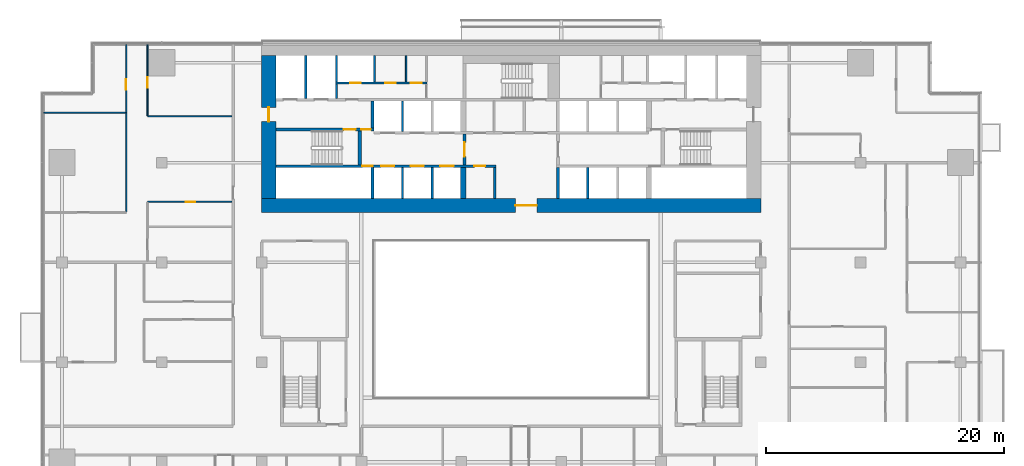
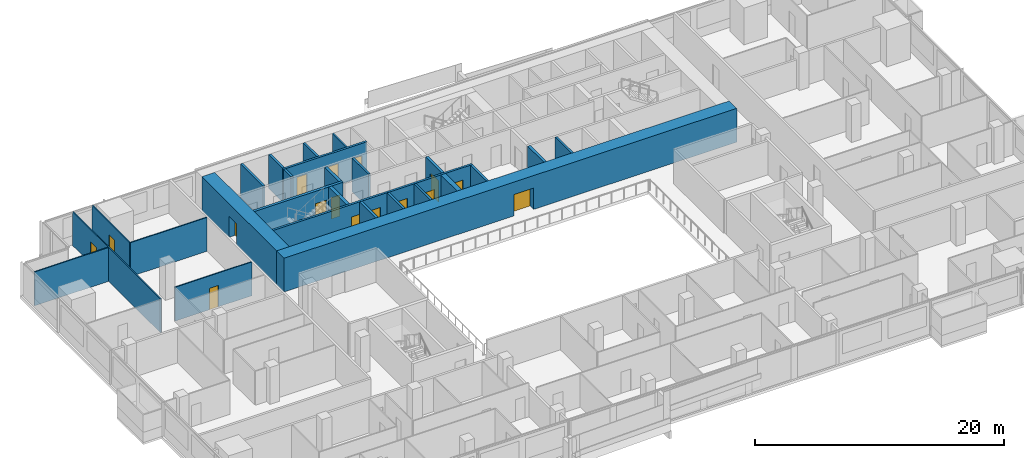
# One storey, part 20 of 26: 26 walls, 16 doors, 16 openings.
"""IFC4 building model written with IfcOpenShell, lengths in metres."""

from ifc_helpers import new_model, si_unit, direction, frame, frame_2d, origin, place, context, subcontext, project, spatial, rectangle, extrude, material, layer, layer_set, type_object, element, fill, save


model = new_model("IFC4")

# Units and contexts
model_context = context("Model", 3, precision=1e-05, world=origin(), true_north=direction((0.0, 1.0)))
body_context = subcontext(model_context, "Body", "Model", "MODEL_VIEW")
ifc_project = project(units=[si_unit("LENGTHUNIT", "METRE"), si_unit("AREAUNIT", "SQUARE_METRE"), si_unit("VOLUMEUNIT", "CUBIC_METRE"), si_unit("PLANEANGLEUNIT", "RADIAN"), si_unit("MASSUNIT", "GRAM", prefix="KILO")], contexts=[model_context])

# Site, building, storey
site_placement = place(None, origin())
site = spatial("IfcSite", under=ifc_project, at=site_placement, CompositionType="ELEMENT")
building_placement = place(site_placement, origin())
building = spatial("IfcBuilding", under=site, at=building_placement, Name="Saffron Gate Tower", CompositionType="ELEMENT")
storey_placement = place(building_placement, frame((0.0, 0.0, 62.39990234375)))
storey = spatial("IfcBuildingStorey", under=building, at=storey_placement, Name="L14", CompositionType="ELEMENT", Elevation=62.39990234375)

# Wall, opening, door
ifc_material_1 = material(Name="Concrete C70", Category="concrete")
ifc_layer_1 = layer(ifc_material_1, 1.199951171875)
ifc_layer_set_1 = layer_set([ifc_layer_1], Name="CW1 RC core wall 1200 C70")
wall_type_1 = type_object("IfcWallType", Name="CW1 RC core wall 1200 C70", PredefinedType="SOLIDWALL", material=ifc_layer_set_1)
wall_1_placement = place(storey_placement, frame((66.60009765625, 61.800048828125, 0.0), z_axis=(0.0, 0.0, 1.0), x_axis=(1.0, 0.0, 0.0)))
wall_1 = element("IfcWall", 1, at=wall_1_placement, inside=storey, type_object=wall_type_1, Name="Wall CW1-L14-1", PredefinedType="SOLIDWALL", context=body_context, shape_type="SweptSolid", body=[
    extrude(rectangle(XDim=42.0, YDim=1.199951171875, at=frame_2d((21.0, 0.0))), origin(), (0.0, 0.0, 1.0), 3.320068359375),
])
opening_1_placement = place(wall_1_placement, frame((21.35009765625, 0.0, 0.0)))
opening_1 = element("IfcOpeningElement", 2, at=opening_1_placement, cuts=wall_1, Name="Opening CR-09", PredefinedType="OPENING", context=body_context, shape_type="SweptSolid", body=[
    extrude(rectangle(XDim=1.800048828125, YDim=2.10009765625, at=frame_2d((0.89990234375, 1.050048828125))), frame((0.0, 0.60986328125, 0.0), z_axis=(0.0, -1.0, 0.0), x_axis=(1.0, 0.0, 0.0)), (0.0, 0.0, 1.0), 1.219970703125),
])
ifc_material_2 = material(Name="Steel fire door set", Category="steel")
door_type_1 = type_object("IfcDoorType", Name="CD1 Core entrance door 1800x2100 EI 120", OperationType="NOTDEFINED", PredefinedType="DOOR", material=ifc_material_2)
door_1_placement = place(opening_1_placement, origin())
door_1 = element("IfcDoor", 3, at=door_1_placement, inside=storey, type_object=door_type_1, Name="DOOR CR-09", OperationType="DOUBLE_DOOR_SINGLE_SWING", OverallHeight=2.10009765625, OverallWidth=1.800048828125, PredefinedType="DOOR", context=body_context, shape_type="SweptSolid", body=[
    extrude(rectangle(XDim=1.800048828125, YDim=2.10009765625, at=frame_2d((0.89990234375, 1.050048828125))), frame((0.0, 0.02490234375, 0.0), z_axis=(0.0, -1.0, 0.0), x_axis=(1.0, 0.0, 0.0)), (0.0, 0.0, 1.0), 0.050048828125),
])
fill(opening_1, door_1)

wall_2_placement = place(storey_placement, frame((67.199951171875, 62.39990234375, 0.0), z_axis=(0.0, 0.0, 1.0), x_axis=(0.0, 1.0, 0.0)))
wall_2 = element("IfcWall", 4, at=wall_2_placement, inside=storey, type_object=wall_type_1, Name="Wall CW1-L14-3", PredefinedType="SOLIDWALL", context=body_context, shape_type="SweptSolid", body=[
    extrude(rectangle(XDim=12.0, YDim=1.199951171875, at=frame_2d((6.0, 0.0))), origin(), (0.0, 0.0, 1.0), 3.320068359375),
])
opening_2_placement = place(wall_2_placement, frame((6.449951171875, 0.0, 0.0)))
opening_2 = element("IfcOpeningElement", 5, at=opening_2_placement, cuts=wall_2, Name="Opening CR-10", PredefinedType="OPENING", context=body_context, shape_type="SweptSolid", body=[
    extrude(rectangle(XDim=1.199951171875, YDim=2.10009765625, at=frame_2d((0.60009765625, 1.050048828125))), frame((0.0, 0.60986328125, 0.0), z_axis=(0.0, -1.0, 0.0), x_axis=(1.0, 0.0, 0.0)), (0.0, 0.0, 1.0), 1.219970703125),
])
door_type_2 = type_object("IfcDoorType", Name="CD7 Core entrance door 1200x2100 EI 120", OperationType="NOTDEFINED", PredefinedType="DOOR", material=ifc_material_2)
door_2_placement = place(opening_2_placement, origin())
door_2 = element("IfcDoor", 6, at=door_2_placement, inside=storey, type_object=door_type_2, Name="DOOR CR-10", OperationType="SINGLE_SWING_LEFT", OverallHeight=2.10009765625, OverallWidth=1.199951171875, PredefinedType="DOOR", context=body_context, shape_type="SweptSolid", body=[
    extrude(rectangle(XDim=1.199951171875, YDim=2.10009765625, at=frame_2d((0.60009765625, 1.050048828125))), frame((0.0, 0.02490234375, 0.0), z_axis=(0.0, -1.0, 0.0), x_axis=(1.0, 0.0, 0.0)), (0.0, 0.0, 1.0), 0.050048828125),
])
fill(opening_2, door_2)

# Walls
ifc_material_3 = material(Name="Gypsum board partition on steel studs", Category="steel")
ifc_layer_2 = layer(ifc_material_3, 0.199951171875)
ifc_layer_set_2 = layer_set([ifc_layer_2], Name="CW10 Core partition 200")
wall_type_2 = type_object("IfcWallType", Name="CW10 Core partition 200", PredefinedType="PARTITIONING", material=ifc_layer_set_2)
wall_3_placement = place(storey_placement, frame((86.199951171875, 62.39990234375, 0.0), z_axis=(0.0, 0.0, 1.0), x_axis=(0.0, 1.0, 0.0)))
element("IfcWall", 7, at=wall_3_placement, inside=storey, type_object=wall_type_2, Name="Wall CW10-L14-9", PredefinedType="PARTITIONING", context=body_context, shape_type="SweptSolid", body=[
    extrude(rectangle(XDim=2.60009765625, YDim=0.199951171875, at=frame_2d((1.300048828125, 0.0))), origin(), (0.0, 0.0, 1.0), 3.320068359375),
])
ifc_layer_3 = layer(ifc_material_1, 0.25)
ifc_layer_set_3 = layer_set([ifc_layer_3], Name="CW2 RC core wall 250 C70")
wall_type_3 = type_object("IfcWallType", Name="CW2 RC core wall 250 C70", PredefinedType="SOLIDWALL", material=ifc_layer_set_3)
for number, where, z_axis, x_axis, name in (
    (8, (75.925048828125, 62.39990234375, 0.0), (0.0, 0.0, 1.0), (0.0, 1.0, 0.0), "Wall CW2-L14-5"),
    (9, (91.52490234375, 62.39990234375, 0.0), (0.0, 0.0, 1.0), (0.0, 1.0, 0.0), "Wall CW2-L14-10"),
):
    element("IfcWall", number, at=place(storey_placement, frame(where, z_axis=z_axis, x_axis=x_axis)), inside=storey, type_object=wall_type_3, Name=name, PredefinedType="SOLIDWALL", context=body_context, shape_type="SweptSolid", body=[
        extrude(rectangle(XDim=2.60009765625, YDim=0.25, at=frame_2d((1.300048828125, 0.0))), origin(), (0.0, 0.0, 1.0), 3.320068359375),
    ])

# Wall, opening, door
wall_4_placement = place(storey_placement, frame((83.675048828125, 65.199951171875, 0.0), z_axis=(0.0, 0.0, 1.0), x_axis=(0.0, 1.0, 0.0)))
wall_4 = element("IfcWall", 10, at=wall_4_placement, inside=storey, type_object=wall_type_3, Name="Wall CW2-L14-17", PredefinedType="SOLIDWALL", context=body_context, shape_type="SweptSolid", body=[
    extrude(rectangle(XDim=2.60009765625, YDim=0.25, at=frame_2d((1.300048828125, 0.0))), origin(), (0.0, 0.0, 1.0), 3.320068359375),
])
opening_3_placement = place(wall_4_placement, frame((0.699951171875, 0.0, 0.0)))
opening_3 = element("IfcOpeningElement", 11, at=opening_3_placement, cuts=wall_4, Name="Opening CR-07", PredefinedType="OPENING", context=body_context, shape_type="SweptSolid", body=[
    extrude(rectangle(XDim=1.199951171875, YDim=2.10009765625, at=frame_2d((0.60009765625, 1.050048828125))), frame((0.0, 0.135009765625, 0.0), z_axis=(0.0, -1.0, 0.0), x_axis=(1.0, 0.0, 0.0)), (0.0, 0.0, 1.0), 0.27001953125),
])
door_type_3 = type_object("IfcDoorType", Name="CD3 Lobby door 1200x2100 EI 120", OperationType="NOTDEFINED", PredefinedType="DOOR", material=ifc_material_2)
door_3_placement = place(opening_3_placement, origin())
door_3 = element("IfcDoor", 12, at=door_3_placement, inside=storey, type_object=door_type_3, Name="DOOR CR-07", OperationType="SINGLE_SWING_RIGHT", OverallHeight=2.10009765625, OverallWidth=1.199951171875, PredefinedType="DOOR", context=body_context, shape_type="SweptSolid", body=[
    extrude(rectangle(XDim=1.199951171875, YDim=2.10009765625, at=frame_2d((0.60009765625, 1.050048828125))), frame((0.0, 0.02490234375, 0.0), z_axis=(0.0, -1.0, 0.0), x_axis=(1.0, 0.0, 0.0)), (0.0, 0.0, 1.0), 0.050048828125),
])
fill(opening_3, door_3)

# Wall, openings, doors
wall_5_placement = place(storey_placement, frame((67.800048828125, 68.175048828125, 0.0), z_axis=(0.0, 0.0, 1.0), x_axis=(1.0, 0.0, 0.0)))
wall_5 = element("IfcWall", 13, at=wall_5_placement, inside=storey, type_object=wall_type_3, Name="Wall CW2-L14-30", PredefinedType="SOLIDWALL", context=body_context, shape_type="SweptSolid", body=[
    extrude(rectangle(XDim=8.25, YDim=0.25, at=frame_2d((4.125, 0.0))), origin(), (0.0, 0.0, 1.0), 3.320068359375),
])
opening_4_placement = place(wall_5_placement, frame((5.699951171875, 0.0, 0.0)))
opening_4 = element("IfcOpeningElement", 14, at=opening_4_placement, cuts=wall_5, Name="Opening CR-15", PredefinedType="OPENING", context=body_context, shape_type="SweptSolid", body=[
    extrude(rectangle(XDim=1.0, YDim=2.10009765625, at=frame_2d((0.5, 1.050048828125))), frame((0.0, 0.135009765625, 0.0), z_axis=(0.0, -1.0, 0.0), x_axis=(1.0, 0.0, 0.0)), (0.0, 0.0, 1.0), 0.27001953125),
])
opening_5_placement = place(wall_5_placement, frame((7.199951171875, 0.0, 0.0)))
opening_5 = element("IfcOpeningElement", 15, at=opening_5_placement, cuts=wall_5, Name="Opening CR-06", PredefinedType="OPENING", context=body_context, shape_type="SweptSolid", body=[
    extrude(rectangle(XDim=0.800048828125, YDim=2.10009765625, at=frame_2d((0.39990234375, 1.050048828125))), frame((0.0, 0.135009765625, 0.0), z_axis=(0.0, -1.0, 0.0), x_axis=(1.0, 0.0, 0.0)), (0.0, 0.0, 1.0), 0.27001953125),
])
door_type_4 = type_object("IfcDoorType", Name="CD5 Stair door 1000x2100 EI 120", OperationType="NOTDEFINED", PredefinedType="DOOR", material=ifc_material_2)
door_4_placement = place(opening_4_placement, origin())
door_4 = element("IfcDoor", 16, at=door_4_placement, inside=storey, type_object=door_type_4, Name="DOOR CR-15", OperationType="SINGLE_SWING_RIGHT", OverallHeight=2.10009765625, OverallWidth=1.0, PredefinedType="DOOR", context=body_context, shape_type="SweptSolid", body=[
    extrude(rectangle(XDim=1.0, YDim=2.10009765625, at=frame_2d((0.5, 1.050048828125))), frame((0.0, 0.02490234375, 0.0), z_axis=(0.0, -1.0, 0.0), x_axis=(1.0, 0.0, 0.0)), (0.0, 0.0, 1.0), 0.050048828125),
])
fill(opening_4, door_4)
door_type_5 = type_object("IfcDoorType", Name="CD6 Lobby door 800x2100 EI 120", OperationType="NOTDEFINED", PredefinedType="DOOR", material=ifc_material_2)
door_5_placement = place(opening_5_placement, origin())
door_5 = element("IfcDoor", 17, at=door_5_placement, inside=storey, type_object=door_type_5, Name="DOOR CR-06", OperationType="SINGLE_SWING_LEFT", OverallHeight=2.10009765625, OverallWidth=0.800048828125, PredefinedType="DOOR", context=body_context, shape_type="SweptSolid", body=[
    extrude(rectangle(XDim=0.800048828125, YDim=2.10009765625, at=frame_2d((0.39990234375, 1.050048828125))), frame((0.0, 0.02490234375, 0.0), z_axis=(0.0, -1.0, 0.0), x_axis=(1.0, 0.0, 0.0)), (0.0, 0.0, 1.0), 0.050048828125),
])
fill(opening_5, door_5)

# Walls
wall_6_placement = place(storey_placement, frame((75.925048828125, 68.300048828125, 0.0), z_axis=(0.0, 0.0, 1.0), x_axis=(0.0, 1.0, 0.0)))
element("IfcWall", 18, at=wall_6_placement, inside=storey, type_object=wall_type_3, Name="Wall CW2-L14-32", PredefinedType="SOLIDWALL", context=body_context, shape_type="SweptSolid", body=[
    extrude(rectangle(XDim=2.300048828125, YDim=0.25, at=frame_2d((1.14990234375, 0.0))), origin(), (0.0, 0.0, 1.0), 3.320068359375),
])
ifc_layer_4 = layer(ifc_material_1, 0.199951171875)
ifc_layer_set_4 = layer_set([ifc_layer_4], Name="CW3 RC core wall 200 C70")
wall_type_4 = type_object("IfcWallType", Name="CW3 RC core wall 200 C70", PredefinedType="SOLIDWALL", material=ifc_layer_set_4)
for number, where, z_axis, x_axis, name in (
    (19, (78.449951171875, 62.39990234375, 0.0), (0.0, 0.0, 1.0), (0.0, 1.0, 0.0), "Wall CW3-L14-6"),
    (20, (80.949951171875, 62.39990234375, 0.0), (0.0, 0.0, 1.0), (0.0, 1.0, 0.0), "Wall CW3-L14-7"),
    (21, (94.050048828125, 62.39990234375, 0.0), (0.0, 0.0, 1.0), (0.0, 1.0, 0.0), "Wall CW3-L14-11"),
):
    element("IfcWall", number, at=place(storey_placement, frame(where, z_axis=z_axis, x_axis=x_axis)), inside=storey, type_object=wall_type_4, Name=name, PredefinedType="SOLIDWALL", context=body_context, shape_type="SweptSolid", body=[
        extrude(rectangle(XDim=2.60009765625, YDim=0.199951171875, at=frame_2d((1.300048828125, 0.0))), origin(), (0.0, 0.0, 1.0), 3.320068359375),
    ])

# Wall, openings, doors
wall_7_placement = place(storey_placement, frame((67.800048828125, 65.10009765625, 0.0), z_axis=(0.0, 0.0, 1.0), x_axis=(1.0, 0.0, 0.0)))
wall_7 = element("IfcWall", 22, at=wall_7_placement, inside=storey, type_object=wall_type_4, Name="Wall CW3-L14-14", PredefinedType="SOLIDWALL", context=body_context, shape_type="SweptSolid", body=[
    extrude(rectangle(XDim=18.5, YDim=0.199951171875, at=frame_2d((9.25, 0.0))), origin(), (0.0, 0.0, 1.0), 3.320068359375),
])
opening_6_placement = place(wall_7_placement, frame((7.27001953125, 0.0, 0.0)))
opening_6 = element("IfcOpeningElement", 23, at=opening_6_placement, cuts=wall_7, Name="Opening CR-49", PredefinedType="OPENING", context=body_context, shape_type="SweptSolid", body=[
    extrude(rectangle(XDim=0.89990234375, YDim=2.10009765625, at=frame_2d((0.449951171875, 1.050048828125))), frame((0.0, 0.10986328125, 0.0), z_axis=(0.0, -1.0, 0.0), x_axis=(1.0, 0.0, 0.0)), (0.0, 0.0, 1.0), 0.219970703125),
])
opening_7_placement = place(wall_7_placement, frame((8.85009765625, 0.0, 0.0)))
opening_7 = element("IfcOpeningElement", 24, at=opening_7_placement, cuts=wall_7, Name="Opening LD-LR1", PredefinedType="OPENING", context=body_context, shape_type="SweptSolid", body=[
    extrude(rectangle(XDim=1.10009765625, YDim=2.10009765625, at=frame_2d((0.550048828125, 1.050048828125))), frame((0.0, 0.10986328125, 0.0), z_axis=(0.0, -1.0, 0.0), x_axis=(1.0, 0.0, 0.0)), (0.0, 0.0, 1.0), 0.219970703125),
])
opening_8_placement = place(wall_7_placement, frame((11.35009765625, 0.0, 0.0)))
opening_8 = element("IfcOpeningElement", 25, at=opening_8_placement, cuts=wall_7, Name="Opening LD-LR2", PredefinedType="OPENING", context=body_context, shape_type="SweptSolid", body=[
    extrude(rectangle(XDim=1.10009765625, YDim=2.10009765625, at=frame_2d((0.550048828125, 1.050048828125))), frame((0.0, 0.10986328125, 0.0), z_axis=(0.0, -1.0, 0.0), x_axis=(1.0, 0.0, 0.0)), (0.0, 0.0, 1.0), 0.219970703125),
])
opening_9_placement = place(wall_7_placement, frame((13.85009765625, 0.0, 0.0)))
opening_9 = element("IfcOpeningElement", 26, at=opening_9_placement, cuts=wall_7, Name="Opening LD-LR3", PredefinedType="OPENING", context=body_context, shape_type="SweptSolid", body=[
    extrude(rectangle(XDim=1.10009765625, YDim=2.10009765625, at=frame_2d((0.550048828125, 1.050048828125))), frame((0.0, 0.10986328125, 0.0), z_axis=(0.0, -1.0, 0.0), x_axis=(1.0, 0.0, 0.0)), (0.0, 0.0, 1.0), 0.219970703125),
])
opening_10_placement = place(wall_7_placement, frame((16.699951171875, 0.0, 0.0)))
opening_10 = element("IfcOpeningElement", 27, at=opening_10_placement, cuts=wall_7, Name="Opening CR-69", PredefinedType="OPENING", context=body_context, shape_type="SweptSolid", body=[
    extrude(rectangle(XDim=0.89990234375, YDim=2.10009765625, at=frame_2d((0.449951171875, 1.050048828125))), frame((0.0, 0.10986328125, 0.0), z_axis=(0.0, -1.0, 0.0), x_axis=(1.0, 0.0, 0.0)), (0.0, 0.0, 1.0), 0.219970703125),
])
door_type_6 = type_object("IfcDoorType", Name="CD2 Riser door 900x2100 EI 60", OperationType="NOTDEFINED", PredefinedType="DOOR", material=ifc_material_2)
door_6_placement = place(opening_6_placement, origin())
door_6 = element("IfcDoor", 28, at=door_6_placement, inside=storey, type_object=door_type_6, Name="DOOR CR-49", OperationType="SINGLE_SWING_LEFT", OverallHeight=2.10009765625, OverallWidth=0.89990234375, PredefinedType="DOOR", context=body_context, shape_type="SweptSolid", body=[
    extrude(rectangle(XDim=0.89990234375, YDim=2.10009765625, at=frame_2d((0.449951171875, 1.050048828125))), frame((0.0, 0.02490234375, 0.0), z_axis=(0.0, -1.0, 0.0), x_axis=(1.0, 0.0, 0.0)), (0.0, 0.0, 1.0), 0.050048828125),
])
fill(opening_6, door_6)
door_type_7 = type_object("IfcDoorType", Name="CD9 Room door 900x2100 EI 60", OperationType="NOTDEFINED", PredefinedType="DOOR", material=ifc_material_2)
door_7_placement = place(opening_10_placement, origin())
door_7 = element("IfcDoor", 29, at=door_7_placement, inside=storey, type_object=door_type_7, Name="DOOR CR-69", OperationType="SINGLE_SWING_RIGHT", OverallHeight=2.10009765625, OverallWidth=0.89990234375, PredefinedType="DOOR", context=body_context, shape_type="SweptSolid", body=[
    extrude(rectangle(XDim=0.89990234375, YDim=2.10009765625, at=frame_2d((0.449951171875, 1.050048828125))), frame((0.0, 0.02490234375, 0.0), z_axis=(0.0, -1.0, 0.0), x_axis=(1.0, 0.0, 0.0)), (0.0, 0.0, 1.0), 0.050048828125),
])
fill(opening_10, door_7)
ifc_material_4 = material(Name="Stainless steel landing door", Category="steel")
door_type_8 = type_object("IfcDoorType", Name="LD Lift landing door 1100x2100 EI 120", OperationType="SLIDING_TO_LEFT", PredefinedType="DOOR", material=ifc_material_4)
door_8_placement = place(opening_7_placement, origin())
door_8 = element("IfcDoor", 30, at=door_8_placement, inside=storey, type_object=door_type_8, Name="LANDING DOOR LD-LR1", OperationType="SLIDING_TO_LEFT", OverallHeight=2.10009765625, OverallWidth=1.10009765625, PredefinedType="DOOR", context=body_context, shape_type="SweptSolid", body=[
    extrude(rectangle(XDim=1.10009765625, YDim=2.10009765625, at=frame_2d((0.550048828125, 1.050048828125))), frame((0.0, 0.02490234375, 0.0), z_axis=(0.0, -1.0, 0.0), x_axis=(1.0, 0.0, 0.0)), (0.0, 0.0, 1.0), 0.050048828125),
])
fill(opening_7, door_8)
door_9_placement = place(opening_8_placement, origin())
door_9 = element("IfcDoor", 31, at=door_9_placement, inside=storey, type_object=door_type_8, Name="LANDING DOOR LD-LR2", OperationType="SLIDING_TO_LEFT", OverallHeight=2.10009765625, OverallWidth=1.10009765625, PredefinedType="DOOR", context=body_context, shape_type="SweptSolid", body=[
    extrude(rectangle(XDim=1.10009765625, YDim=2.10009765625, at=frame_2d((0.550048828125, 1.050048828125))), frame((0.0, 0.02490234375, 0.0), z_axis=(0.0, -1.0, 0.0), x_axis=(1.0, 0.0, 0.0)), (0.0, 0.0, 1.0), 0.050048828125),
])
fill(opening_8, door_9)
door_10_placement = place(opening_9_placement, origin())
door_10 = element("IfcDoor", 32, at=door_10_placement, inside=storey, type_object=door_type_8, Name="LANDING DOOR LD-LR3", OperationType="SLIDING_TO_LEFT", OverallHeight=2.10009765625, OverallWidth=1.10009765625, PredefinedType="DOOR", context=body_context, shape_type="SweptSolid", body=[
    extrude(rectangle(XDim=1.10009765625, YDim=2.10009765625, at=frame_2d((0.550048828125, 1.050048828125))), frame((0.0, 0.02490234375, 0.0), z_axis=(0.0, -1.0, 0.0), x_axis=(1.0, 0.0, 0.0)), (0.0, 0.0, 1.0), 0.050048828125),
])
fill(opening_9, door_10)

# Walls
wall_8_placement = place(storey_placement, frame((78.449951171875, 68.0, 0.0), z_axis=(0.0, 0.0, 1.0), x_axis=(0.0, 1.0, 0.0)))
element("IfcWall", 33, at=wall_8_placement, inside=storey, type_object=wall_type_4, Name="Wall CW3-L14-21", PredefinedType="SOLIDWALL", context=body_context, shape_type="SweptSolid", body=[
    extrude(rectangle(XDim=2.60009765625, YDim=0.199951171875, at=frame_2d((1.300048828125, 0.0))), origin(), (0.0, 0.0, 1.0), 3.320068359375),
])
wall_9_placement = place(storey_placement, frame((70.300048828125, 70.800048828125, 0.0), z_axis=(0.0, 0.0, 1.0), x_axis=(0.0, 1.0, 0.0)))
element("IfcWall", 34, at=wall_9_placement, inside=storey, type_object=wall_type_4, Name="Wall CW3-L14-35", PredefinedType="SOLIDWALL", context=body_context, shape_type="SweptSolid", body=[
    extrude(rectangle(XDim=3.599853515625, YDim=0.199951171875, at=frame_2d((1.7998046875, 0.0))), origin(), (0.0, 0.0, 1.0), 3.320068359375),
])
wall_10_placement = place(storey_placement, frame((72.89990234375, 70.800048828125, 0.0), z_axis=(0.0, 0.0, 1.0), x_axis=(0.0, 1.0, 0.0)))
element("IfcWall", 35, at=wall_10_placement, inside=storey, type_object=wall_type_4, Name="Wall CW3-L14-36", PredefinedType="SOLIDWALL", context=body_context, shape_type="SweptSolid", body=[
    extrude(rectangle(XDim=1.199951171875, YDim=0.199951171875, at=frame_2d((0.60009765625, 0.0))), origin(), (0.0, 0.0, 1.0), 3.320068359375),
])

# Wall, openings, doors
wall_11_placement = place(storey_placement, frame((72.800048828125, 72.10009765625, 0.0), z_axis=(0.0, 0.0, 1.0), x_axis=(1.0, 0.0, 0.0)))
wall_11 = element("IfcWall", 36, at=wall_11_placement, inside=storey, type_object=wall_type_4, Name="Wall CW3-L14-43", PredefinedType="SOLIDWALL", context=body_context, shape_type="SweptSolid", body=[
    extrude(rectangle(XDim=7.719970703125, YDim=0.199951171875, at=frame_2d((3.85986328125, 0.0))), origin(), (0.0, 0.0, 1.0), 3.320068359375),
])
opening_11_placement = place(wall_11_placement, frame((1.25, 0.0, 0.0)))
opening_11 = element("IfcOpeningElement", 37, at=opening_11_placement, cuts=wall_11, Name="Opening CR-71", PredefinedType="OPENING", context=body_context, shape_type="SweptSolid", body=[
    extrude(rectangle(XDim=0.89990234375, YDim=2.10009765625, at=frame_2d((0.449951171875, 1.050048828125))), frame((0.0, 0.10986328125, 0.0), z_axis=(0.0, -1.0, 0.0), x_axis=(1.0, 0.0, 0.0)), (0.0, 0.0, 1.0), 0.219970703125),
])
opening_12_placement = place(wall_11_placement, frame((4.199951171875, 0.0, 0.0)))
opening_12 = element("IfcOpeningElement", 38, at=opening_12_placement, cuts=wall_11, Name="Opening CR-55", PredefinedType="OPENING", context=body_context, shape_type="SweptSolid", body=[
    extrude(rectangle(XDim=0.89990234375, YDim=2.10009765625, at=frame_2d((0.449951171875, 1.050048828125))), frame((0.0, 0.10986328125, 0.0), z_axis=(0.0, -1.0, 0.0), x_axis=(1.0, 0.0, 0.0)), (0.0, 0.0, 1.0), 0.219970703125),
])
opening_13_placement = place(wall_11_placement, frame((6.360107421875, 0.0, 0.0)))
opening_13 = element("IfcOpeningElement", 39, at=opening_13_placement, cuts=wall_11, Name="Opening CR-58", PredefinedType="OPENING", context=body_context, shape_type="SweptSolid", body=[
    extrude(rectangle(XDim=0.89990234375, YDim=2.10009765625, at=frame_2d((0.449951171875, 1.050048828125))), frame((0.0, 0.10986328125, 0.0), z_axis=(0.0, -1.0, 0.0), x_axis=(1.0, 0.0, 0.0)), (0.0, 0.0, 1.0), 0.219970703125),
])
door_11_placement = place(opening_11_placement, origin())
door_11 = element("IfcDoor", 40, at=door_11_placement, inside=storey, type_object=door_type_6, Name="DOOR CR-71", OperationType="SINGLE_SWING_LEFT", OverallHeight=2.10009765625, OverallWidth=0.89990234375, PredefinedType="DOOR", context=body_context, shape_type="SweptSolid", body=[
    extrude(rectangle(XDim=0.89990234375, YDim=2.10009765625, at=frame_2d((0.449951171875, 1.050048828125))), frame((0.0, 0.02490234375, 0.0), z_axis=(0.0, -1.0, 0.0), x_axis=(1.0, 0.0, 0.0)), (0.0, 0.0, 1.0), 0.050048828125),
])
fill(opening_11, door_11)
door_12_placement = place(opening_12_placement, origin())
door_12 = element("IfcDoor", 41, at=door_12_placement, inside=storey, type_object=door_type_7, Name="DOOR CR-55", OperationType="SINGLE_SWING_LEFT", OverallHeight=2.10009765625, OverallWidth=0.89990234375, PredefinedType="DOOR", context=body_context, shape_type="SweptSolid", body=[
    extrude(rectangle(XDim=0.89990234375, YDim=2.10009765625, at=frame_2d((0.449951171875, 1.050048828125))), frame((0.0, 0.02490234375, 0.0), z_axis=(0.0, -1.0, 0.0), x_axis=(1.0, 0.0, 0.0)), (0.0, 0.0, 1.0), 0.050048828125),
])
fill(opening_12, door_12)
door_13_placement = place(opening_13_placement, origin())
door_13 = element("IfcDoor", 42, at=door_13_placement, inside=storey, type_object=door_type_7, Name="DOOR CR-58", OperationType="SINGLE_SWING_LEFT", OverallHeight=2.10009765625, OverallWidth=0.89990234375, PredefinedType="DOOR", context=body_context, shape_type="SweptSolid", body=[
    extrude(rectangle(XDim=0.89990234375, YDim=2.10009765625, at=frame_2d((0.449951171875, 1.050048828125))), frame((0.0, 0.02490234375, 0.0), z_axis=(0.0, -1.0, 0.0), x_axis=(1.0, 0.0, 0.0)), (0.0, 0.0, 1.0), 0.050048828125),
])
fill(opening_13, door_13)

# Walls
for number, where, z_axis, x_axis, name in (
    (43, (72.89990234375, 72.199951171875, 0.0), (0.0, 0.0, 1.0), (0.0, 1.0, 0.0), "Wall CW3-L14-45"),
    (44, (76.10009765625, 72.199951171875, 0.0), (0.0, 0.0, 1.0), (0.0, 1.0, 0.0), "Wall CW3-L14-46"),
):
    element("IfcWall", number, at=place(storey_placement, frame(where, z_axis=z_axis, x_axis=x_axis)), inside=storey, type_object=wall_type_4, Name=name, PredefinedType="SOLIDWALL", context=body_context, shape_type="SweptSolid", body=[
        extrude(rectangle(XDim=2.199951171875, YDim=0.199951171875, at=frame_2d((1.10009765625, 0.0))), origin(), (0.0, 0.0, 1.0), 3.320068359375),
    ])
ifc_layer_5 = layer(ifc_material_1, 0.449951171875)
ifc_layer_set_5 = layer_set([ifc_layer_5], Name="CW4 RC core wall 450 C70")
wall_type_5 = type_object("IfcWallType", Name="CW4 RC core wall 450 C70", PredefinedType="SOLIDWALL", material=ifc_layer_set_5)
wall_12_placement = place(storey_placement, frame((83.574951171875, 62.39990234375, 0.0), z_axis=(0.0, 0.0, 1.0), x_axis=(0.0, 1.0, 0.0)))
element("IfcWall", 45, at=wall_12_placement, inside=storey, type_object=wall_type_5, Name="Wall CW4-L14-8", PredefinedType="SOLIDWALL", context=body_context, shape_type="SweptSolid", body=[
    extrude(rectangle(XDim=2.60009765625, YDim=0.449951171875, at=frame_2d((1.300048828125, 0.0))), origin(), (0.0, 0.0, 1.0), 3.320068359375),
])
ifc_layer_6 = layer(ifc_material_1, 0.300048828125)
ifc_layer_set_6 = layer_set([ifc_layer_6], Name="CW5 RC core wall 300 C70")
wall_type_6 = type_object("IfcWallType", Name="CW5 RC core wall 300 C70", PredefinedType="SOLIDWALL", material=ifc_layer_set_6)
wall_13_placement = place(storey_placement, frame((74.85009765625, 65.199951171875, 0.0), z_axis=(0.0, 0.0, 1.0), x_axis=(0.0, 1.0, 0.0)))
element("IfcWall", 46, at=wall_13_placement, inside=storey, type_object=wall_type_6, Name="Wall CW5-L14-16", PredefinedType="SOLIDWALL", context=body_context, shape_type="SweptSolid", body=[
    extrude(rectangle(XDim=2.85009765625, YDim=0.300048828125, at=frame_2d((1.425048828125, 0.0))), origin(), (0.0, 0.0, 1.0), 3.320068359375),
])
ifc_layer_7 = layer(ifc_material_3, 0.1201171875)
ifc_layer_set_7 = layer_set([ifc_layer_7], Name="CW8 Core partition 120")
wall_type_7 = type_object("IfcWallType", Name="CW8 Core partition 120", PredefinedType="PARTITIONING", material=ifc_layer_set_7)
wall_14_placement = place(storey_placement, frame((78.760009765625, 72.199951171875, 0.0), z_axis=(0.0, 0.0, 1.0), x_axis=(0.0, 1.0, 0.0)))
element("IfcWall", 47, at=wall_14_placement, inside=storey, type_object=wall_type_7, Name="Wall CW8-L14-47", PredefinedType="PARTITIONING", context=body_context, shape_type="SweptSolid", body=[
    extrude(rectangle(XDim=2.199951171875, YDim=0.1201171875, at=frame_2d((1.10009765625, 0.0))), origin(), (0.0, 0.0, 1.0), 3.320068359375),
])

# Wall, opening, door
ifc_material_5 = material(Name="Plasterboard on steel studs", Category="steel")
ifc_layer_8 = layer(ifc_material_5, 0.10009765625)
ifc_layer_set_8 = layer_set([ifc_layer_8], Name="PW1 Partition 100")
wall_type_8 = type_object("IfcWallType", Name="PW1 Partition 100", PredefinedType="PARTITIONING", material=ifc_layer_set_8)
wall_15_placement = place(storey_placement, frame((64.10009765625, 62.10009765625, 0.0), z_axis=(0.0, 0.0, 1.0), x_axis=(-1.0, 0.0, 0.0)))
wall_15 = element("IfcWall", 48, at=wall_15_placement, inside=storey, type_object=wall_type_8, Name="Partition A3-43", PredefinedType="PARTITIONING", context=body_context, shape_type="SweptSolid", body=[
    extrude(rectangle(XDim=7.10009765625, YDim=0.10009765625, at=frame_2d((3.550048828125, 0.0))), origin(), (0.0, 0.0, 1.0), 3.320068359375),
])
opening_14_placement = place(wall_15_placement, frame((3.10009765625, 0.0, 0.0)))
opening_14 = element("IfcOpeningElement", 49, at=opening_14_placement, cuts=wall_15, Name="Opening A3-45", PredefinedType="OPENING", context=body_context, shape_type="SweptSolid", body=[
    extrude(rectangle(XDim=0.800048828125, YDim=2.10009765625, at=frame_2d((0.39990234375, 1.050048828125))), frame((0.0, 0.06005859375, 0.0), z_axis=(0.0, -1.0, 0.0), x_axis=(1.0, 0.0, 0.0)), (0.0, 0.0, 1.0), 0.1201171875),
])
ifc_material_6 = material(Name="Timber door set", Category="wood")
door_type_9 = type_object("IfcDoorType", Name="RD2 Bathroom door 800x2100", OperationType="NOTDEFINED", PredefinedType="DOOR", material=ifc_material_6)
door_14_placement = place(opening_14_placement, origin())
door_14 = element("IfcDoor", 50, at=door_14_placement, inside=storey, type_object=door_type_9, Name="Door A3-45", OperationType="SINGLE_SWING_LEFT", OverallHeight=2.10009765625, OverallWidth=0.800048828125, PredefinedType="DOOR", context=body_context, shape_type="SweptSolid", body=[
    extrude(rectangle(XDim=0.800048828125, YDim=2.10009765625, at=frame_2d((0.39990234375, 1.050048828125))), frame((0.0, 0.02490234375, 0.0), z_axis=(0.0, -1.0, 0.0), x_axis=(1.0, 0.0, 0.0)), (0.0, 0.0, 1.0), 0.050048828125),
])
fill(opening_14, door_14)

# Walls
wall_16_placement = place(storey_placement, frame((57.0, 69.29443359375, 0.0), z_axis=(0.0, 0.0, 1.0), x_axis=(1.0, 0.0, 0.0)))
element("IfcWall", 51, at=wall_16_placement, inside=storey, type_object=wall_type_8, Name="Partition A3-48", PredefinedType="PARTITIONING", context=body_context, shape_type="SweptSolid", body=[
    extrude(rectangle(XDim=7.10009765625, YDim=0.10009765625, at=frame_2d((3.550048828125, 0.0))), origin(), (0.0, 0.0, 1.0), 3.320068359375),
])
wall_17_placement = place(storey_placement, frame((48.280029296875, 69.60009765625, 0.0), z_axis=(0.0, 0.0, 1.0), x_axis=(1.0, 0.0, 0.0)))
element("IfcWall", 52, at=wall_17_placement, inside=storey, type_object=wall_type_8, Name="Partition A3-49", PredefinedType="PARTITIONING", context=body_context, shape_type="SweptSolid", body=[
    extrude(rectangle(XDim=6.869873046875, YDim=0.10009765625, at=frame_2d((3.43505859375, 0.0))), origin(), (0.0, 0.0, 1.0), 3.320068359375),
])

# Wall, opening, door
wall_18_placement = place(storey_placement, frame((55.199951171875, 61.25, 0.0), z_axis=(0.0, 0.0, 1.0), x_axis=(0.0, 1.0, 0.0)))
wall_18 = element("IfcWall", 53, at=wall_18_placement, inside=storey, type_object=wall_type_8, Name="Partition A3-53", PredefinedType="PARTITIONING", context=body_context, shape_type="SweptSolid", body=[
    extrude(rectangle(XDim=14.070068359375, YDim=0.10009765625, at=frame_2d((7.03515625, 0.0))), origin(), (0.0, 0.0, 1.0), 3.320068359375),
])
opening_15_placement = place(wall_18_placement, frame((10.27880859375, 0.0, 0.0)))
opening_15 = element("IfcOpeningElement", 54, at=opening_15_placement, cuts=wall_18, Name="Opening A3-28", PredefinedType="OPENING", context=body_context, shape_type="SweptSolid", body=[
    extrude(rectangle(XDim=0.89990234375, YDim=2.10009765625, at=frame_2d((0.449951171875, 1.050048828125))), frame((0.0, 0.06005859375, 0.0), z_axis=(0.0, -1.0, 0.0), x_axis=(1.0, 0.0, 0.0)), (0.0, 0.0, 1.0), 0.1201171875),
])
door_type_10 = type_object("IfcDoorType", Name="RD1 Room door 900x2100", OperationType="NOTDEFINED", PredefinedType="DOOR", material=ifc_material_6)
door_15_placement = place(opening_15_placement, origin())
door_15 = element("IfcDoor", 55, at=door_15_placement, inside=storey, type_object=door_type_10, Name="Door A3-28", OperationType="SINGLE_SWING_LEFT", OverallHeight=2.10009765625, OverallWidth=0.89990234375, PredefinedType="DOOR", context=body_context, shape_type="SweptSolid", body=[
    extrude(rectangle(XDim=0.89990234375, YDim=2.10009765625, at=frame_2d((0.449951171875, 1.050048828125))), frame((0.0, 0.02490234375, 0.0), z_axis=(0.0, -1.0, 0.0), x_axis=(1.0, 0.0, 0.0)), (0.0, 0.0, 1.0), 0.050048828125),
])
fill(opening_15, door_15)

wall_19_placement = place(storey_placement, frame((57.0, 75.320068359375, 0.0), z_axis=(0.0, 0.0, 1.0), x_axis=(0.0, -1.0, 0.0)))
wall_19 = element("IfcWall", 56, at=wall_19_placement, inside=storey, type_object=wall_type_8, Name="Partition A3-58", PredefinedType="PARTITIONING", context=body_context, shape_type="SweptSolid", body=[
    extrude(rectangle(XDim=5.9755859375, YDim=0.10009765625, at=frame_2d((2.98779296875, 0.0))), origin(), (0.0, 0.0, 1.0), 3.320068359375),
])
opening_16_placement = place(wall_19_placement, frame((2.722900390625, 0.0, 0.0)))
opening_16 = element("IfcOpeningElement", 57, at=opening_16_placement, cuts=wall_19, Name="Opening A3-29", PredefinedType="OPENING", context=body_context, shape_type="SweptSolid", body=[
    extrude(rectangle(XDim=0.89990234375, YDim=2.10009765625, at=frame_2d((0.449951171875, 1.050048828125))), frame((0.0, 0.06005859375, 0.0), z_axis=(0.0, -1.0, 0.0), x_axis=(1.0, 0.0, 0.0)), (0.0, 0.0, 1.0), 0.1201171875),
])
door_16_placement = place(opening_16_placement, origin())
door_16 = element("IfcDoor", 58, at=door_16_placement, inside=storey, type_object=door_type_10, Name="Door A3-29", OperationType="SINGLE_SWING_RIGHT", OverallHeight=2.10009765625, OverallWidth=0.89990234375, PredefinedType="DOOR", context=body_context, shape_type="SweptSolid", body=[
    extrude(rectangle(XDim=0.89990234375, YDim=2.10009765625, at=frame_2d((0.449951171875, 1.050048828125))), frame((0.0, 0.02490234375, 0.0), z_axis=(0.0, -1.0, 0.0), x_axis=(1.0, 0.0, 0.0)), (0.0, 0.0, 1.0), 0.050048828125),
])
fill(opening_16, door_16)

save(model, "model.ifc")
